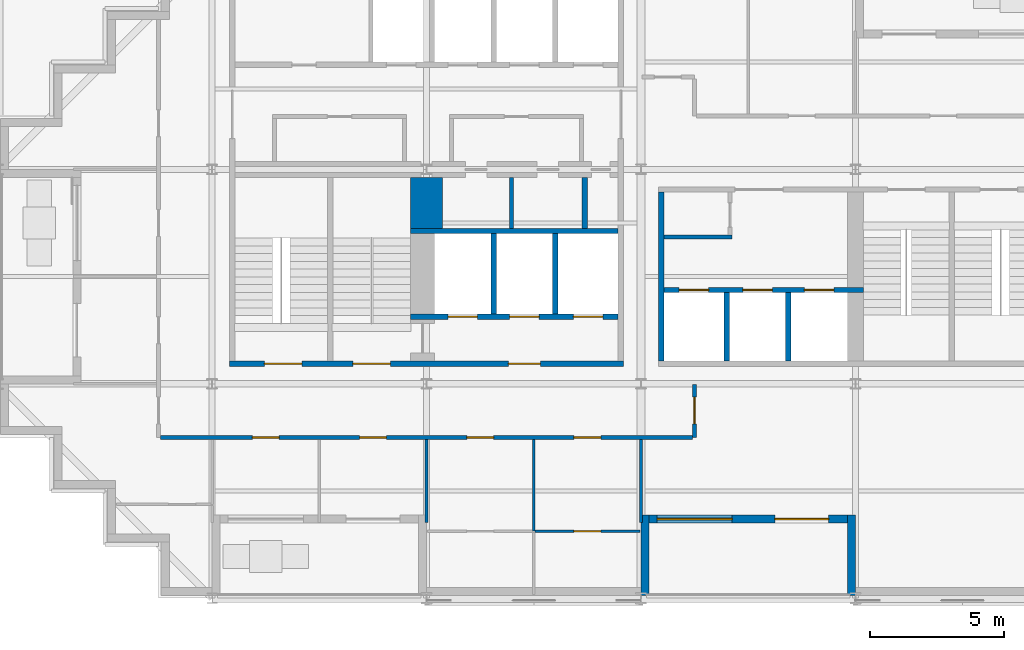
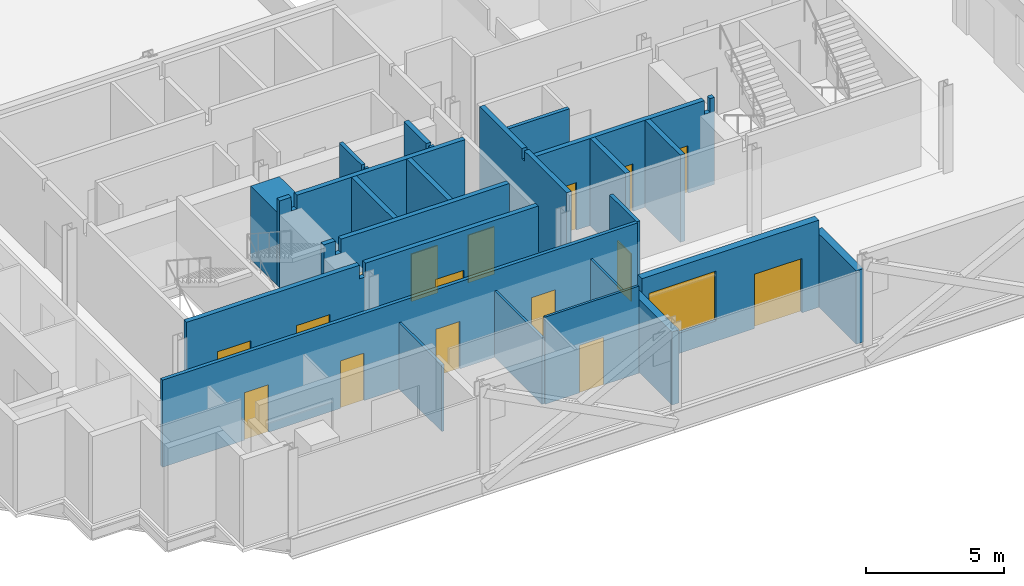
# One storey, part 3 of 9: 22 walls, 16 doors, 1 window, 17 openings.
"""IFC4 building model written with IfcOpenShell, lengths in metres."""

from ifc_helpers import new_model, si_unit, direction, frame, frame_2d, origin, place, context, subcontext, project, spatial, polyline, rectangle, outline, extrude, material, layer, layer_set, type_object, element, fill, save


model = new_model("IFC4")

# Units and contexts
model_context = context("Model", 3, precision=1e-05, world=origin(), true_north=direction((0.0, 1.0)))
body_context = subcontext(model_context, "Body", "Model", "MODEL_VIEW")
ifc_project = project(units=[si_unit("LENGTHUNIT", "METRE"), si_unit("AREAUNIT", "SQUARE_METRE"), si_unit("VOLUMEUNIT", "CUBIC_METRE"), si_unit("PLANEANGLEUNIT", "RADIAN"), si_unit("MASSUNIT", "GRAM", prefix="KILO")], contexts=[model_context])

# Site, building, storey
site_placement = place(None, origin())
site = spatial("IfcSite", under=ifc_project, at=site_placement, CompositionType="ELEMENT")
building_placement = place(site_placement, origin())
building = spatial("IfcBuilding", under=site, at=building_placement, Name="Immortelle Media Tower", CompositionType="ELEMENT")
storey_placement = place(building_placement, frame((0.0, 0.0, 189.0)))
storey = spatial("IfcBuildingStorey", under=building, at=storey_placement, Name="L39", CompositionType="ELEMENT", Elevation=189.0)

# Walls
ifc_material_1 = material(Name="Fire-rated gypsum board", Category="gypsum")
ifc_layer_1 = layer(ifc_material_1, 0.02490234375)
ifc_material_2 = material(Name="Steel ASTM A653 SS Gr 50 stud frame with mineral wool", Category="steel")
ifc_layer_2 = layer(ifc_material_2, 0.10009765625)
ifc_layer_3 = layer(ifc_material_1, 0.02490234375)
ifc_layer_set_1 = layer_set([ifc_layer_1, ifc_layer_2, ifc_layer_3], Name="Steel ASTM A653 SS Gr 50 stud frame with mineral wool")
wall_type_1 = type_object("IfcWallType", Name="Core partition 150", PredefinedType="PARTITIONING", material=ifc_layer_set_1)
wall_1_placement = place(storey_placement, frame((19.175048828125, 13.800048828125, 0.0), z_axis=(0.0, 0.0, 1.0), x_axis=(0.0, 1.0, 0.0)))
element("IfcWall", 1, at=wall_1_placement, inside=storey, type_object=wall_type_1, Name="Core partition SW", PredefinedType="PARTITIONING", context=body_context, shape_type="SweptSolid", body=[
    extrude(outline(polyline([(0.0, 0.0), (1.89990234375, 0.0), (1.89990234375, 3.85009765625), (0.281494140625, 3.85009765625), (0.280517578125, 3.388916015625), (0.119384765625, 3.388916015625), (0.118408203125, 3.85009765625), (0.0, 3.85009765625), (0.0, 0.0)])), frame((0.0, 0.074951171875, 0.0), z_axis=(0.0, -1.0, 0.0), x_axis=(1.0, 0.0, 0.0)), (0.0, 0.0, 1.0), 0.14990234375),
])
wall_2_placement = place(storey_placement, frame((24.85009765625, 13.47509765625, 0.0), z_axis=(0.0, 0.0, 1.0), x_axis=(1.0, 0.0, 0.0)))
element("IfcWall", 2, at=wall_2_placement, inside=storey, type_object=wall_type_1, Name="Core partition SE", PredefinedType="PARTITIONING", context=body_context, shape_type="SweptSolid", body=[
    extrude(rectangle(XDim=2.5498046875, YDim=0.14990234375, at=frame_2d((1.27490234375, 0.0))), origin(), (0.0, 0.0, 1.0), 3.85009765625),
])

# Wall, openings, doors
ifc_layer_4 = layer(ifc_material_1, 0.03759765625)
ifc_layer_5 = layer(ifc_material_2, 0.125)
ifc_layer_6 = layer(ifc_material_1, 0.03759765625)
ifc_layer_set_2 = layer_set([ifc_layer_4, ifc_layer_5, ifc_layer_6], Name="Steel ASTM A653 SS Gr 50 stud frame with mineral wool")
wall_type_2 = type_object("IfcWallType", Name="Core shaft wall 200", PredefinedType="PARTITIONING", material=ifc_layer_set_2)
wall_3_placement = place(storey_placement, frame((15.39990234375, 10.5, 0.0), z_axis=(0.0, 0.0, 1.0), x_axis=(1.0, 0.0, 0.0)))
wall_3 = element("IfcWall", 3, at=wall_3_placement, inside=storey, type_object=wall_type_2, Name="Core shaft wall SW", PredefinedType="PARTITIONING", context=body_context, shape_type="SweptSolid", body=[
    extrude(outline(polyline([(0.0, 0.0), (7.75, 0.0), (7.75, 3.85009765625), (0.718994140625, 3.85009765625), (0.718017578125, 3.241943359375), (0.48193359375, 3.241943359375), (0.48095703125, 3.85009765625), (0.0, 3.85009765625), (0.0, 0.0)])), frame((0.0, 0.10009765625, 0.0), z_axis=(0.0, -1.0, 0.0), x_axis=(1.0, 0.0, 0.0)), (0.0, 0.0, 1.0), 0.199951171875),
])
opening_1_placement = place(wall_3_placement, frame((1.39990234375, 0.0, 0.0)))
opening_1 = element("IfcOpeningElement", 4, at=opening_1_placement, cuts=wall_3, Name="Opening LD", PredefinedType="OPENING", context=body_context, shape_type="SweptSolid", body=[
    extrude(rectangle(XDim=1.10009765625, YDim=2.10009765625, at=frame_2d((0.550048828125, 1.050048828125))), frame((0.0, 0.10986328125, 0.0), z_axis=(0.0, -1.0, 0.0), x_axis=(1.0, 0.0, 0.0)), (0.0, 0.0, 1.0), 0.219970703125),
])
opening_2_placement = place(wall_3_placement, frame((3.699951171875, 0.0, 0.0)))
opening_2 = element("IfcOpeningElement", 5, at=opening_2_placement, cuts=wall_3, Name="Opening LD", PredefinedType="OPENING", context=body_context, shape_type="SweptSolid", body=[
    extrude(rectangle(XDim=1.10009765625, YDim=2.10009765625, at=frame_2d((0.550048828125, 1.050048828125))), frame((0.0, 0.10986328125, 0.0), z_axis=(0.0, -1.0, 0.0), x_axis=(1.0, 0.0, 0.0)), (0.0, 0.0, 1.0), 0.219970703125),
])
opening_3_placement = place(wall_3_placement, frame((6.074951171875, 0.0, 0.0)))
opening_3 = element("IfcOpeningElement", 6, at=opening_3_placement, cuts=wall_3, Name="Opening LD", PredefinedType="OPENING", context=body_context, shape_type="SweptSolid", body=[
    extrude(rectangle(XDim=1.10009765625, YDim=2.10009765625, at=frame_2d((0.550048828125, 1.050048828125))), frame((0.0, 0.10986328125, 0.0), z_axis=(0.0, -1.0, 0.0), x_axis=(1.0, 0.0, 0.0)), (0.0, 0.0, 1.0), 0.219970703125),
])
ifc_material_3 = material(Name="Stainless steel AISI 304", Category="steel")
door_type_1 = type_object("IfcDoorType", Name="Landing door 1100 x 2100", OperationType="SLIDING_TO_LEFT", PredefinedType="NOTDEFINED", material=ifc_material_3)
door_1_placement = place(opening_1_placement, origin())
door_1 = element("IfcDoor", 7, at=door_1_placement, inside=storey, type_object=door_type_1, Name="Landing door FF1 L39", OperationType="SLIDING_TO_LEFT", OverallHeight=2.10009765625, OverallWidth=1.10009765625, PredefinedType="NOTDEFINED", context=body_context, shape_type="SweptSolid", body=[
    extrude(rectangle(XDim=1.10009765625, YDim=2.10009765625, at=frame_2d((0.550048828125, 1.050048828125))), frame((0.0, 0.02490234375, 0.0), z_axis=(0.0, -1.0, 0.0), x_axis=(1.0, 0.0, 0.0)), (0.0, 0.0, 1.0), 0.050048828125),
])
fill(opening_1, door_1)
door_2_placement = place(opening_2_placement, origin())
door_2 = element("IfcDoor", 8, at=door_2_placement, inside=storey, type_object=door_type_1, Name="Landing door FF2 L39", OperationType="SLIDING_TO_LEFT", OverallHeight=2.10009765625, OverallWidth=1.10009765625, PredefinedType="NOTDEFINED", context=body_context, shape_type="SweptSolid", body=[
    extrude(rectangle(XDim=1.10009765625, YDim=2.10009765625, at=frame_2d((0.550048828125, 1.050048828125))), frame((0.0, 0.02490234375, 0.0), z_axis=(0.0, -1.0, 0.0), x_axis=(1.0, 0.0, 0.0)), (0.0, 0.0, 1.0), 0.050048828125),
])
fill(opening_2, door_2)
door_3_placement = place(opening_3_placement, origin())
door_3 = element("IfcDoor", 9, at=door_3_placement, inside=storey, type_object=door_type_1, Name="Landing door FF3 L39", OperationType="SLIDING_TO_LEFT", OverallHeight=2.10009765625, OverallWidth=1.10009765625, PredefinedType="NOTDEFINED", context=body_context, shape_type="SweptSolid", body=[
    extrude(rectangle(XDim=1.10009765625, YDim=2.10009765625, at=frame_2d((0.550048828125, 1.050048828125))), frame((0.0, 0.02490234375, 0.0), z_axis=(0.0, -1.0, 0.0), x_axis=(1.0, 0.0, 0.0)), (0.0, 0.0, 1.0), 0.050048828125),
])
fill(opening_3, door_3)

# Walls
wall_4_placement = place(storey_placement, frame((15.39990234375, 13.699951171875, 0.0), z_axis=(0.0, 0.0, 1.0), x_axis=(1.0, 0.0, 0.0)))
element("IfcWall", 10, at=wall_4_placement, inside=storey, type_object=wall_type_2, Name="Core shaft wall SW", PredefinedType="PARTITIONING", context=body_context, shape_type="SweptSolid", body=[
    extrude(outline(polyline([(0.0, 0.0), (7.75, 0.0), (7.75, 3.85009765625), (0.718994140625, 3.85009765625), (0.718017578125, 3.241943359375), (0.48193359375, 3.241943359375), (0.48095703125, 3.85009765625), (0.0, 3.85009765625), (0.0, 0.0)])), frame((0.0, 0.10009765625, 0.0), z_axis=(0.0, -1.0, 0.0), x_axis=(1.0, 0.0, 0.0)), (0.0, 0.0, 1.0), 0.199951171875),
])
for number, where, z_axis, x_axis, name in (
    (11, (18.5, 10.60009765625, 0.0), (0.0, 0.0, 1.0), (0.0, 1.0, 0.0), "Core shaft wall SW"),
    (12, (20.800048828125, 10.60009765625, 0.0), (0.0, 0.0, 1.0), (0.0, 1.0, 0.0), "Core shaft wall SW"),
):
    element("IfcWall", number, at=place(storey_placement, frame(where, z_axis=z_axis, x_axis=x_axis)), inside=storey, type_object=wall_type_2, Name=name, PredefinedType="PARTITIONING", context=body_context, shape_type="SweptSolid", body=[
        extrude(rectangle(XDim=3.0, YDim=0.199951171875, at=frame_2d((1.5, 0.0))), origin(), (0.0, 0.0, 1.0), 3.85009765625),
    ])
wall_5_placement = place(storey_placement, frame((21.89990234375, 13.800048828125, 0.0), z_axis=(0.0, 0.0, 1.0), x_axis=(0.0, 1.0, 0.0)))
element("IfcWall", 13, at=wall_5_placement, inside=storey, type_object=wall_type_2, Name="Core shaft wall SW", PredefinedType="PARTITIONING", context=body_context, shape_type="SweptSolid", body=[
    extrude(outline(polyline([(0.0, 0.0), (1.89990234375, 0.0), (1.89990234375, 3.85009765625), (0.281494140625, 3.85009765625), (0.280517578125, 3.388916015625), (0.119384765625, 3.388916015625), (0.118408203125, 3.85009765625), (0.0, 3.85009765625), (0.0, 0.0)])), frame((0.0, 0.10009765625, 0.0), z_axis=(0.0, -1.0, 0.0), x_axis=(1.0, 0.0, 0.0)), (0.0, 0.0, 1.0), 0.199951171875),
])
wall_6_placement = place(storey_placement, frame((24.75, 8.85009765625, 0.0), z_axis=(0.0, 0.0, 1.0), x_axis=(0.0, 1.0, 0.0)))
element("IfcWall", 14, at=wall_6_placement, inside=storey, type_object=wall_type_2, Name="Core shaft wall SE", PredefinedType="PARTITIONING", context=body_context, shape_type="SweptSolid", body=[
    extrude(outline(polyline([(0.0, 0.0), (6.2998046875, 0.0), (6.300048828125, 3.85009765625), (3.2314453125, 3.85009765625), (3.23046875, 3.388916015625), (3.069580078125, 3.388916015625), (3.068603515625, 3.85009765625), (0.0, 3.85009765625), (0.0, 0.0)])), frame((0.0, 0.10009765625, 0.0), z_axis=(0.0, -1.0, 0.0), x_axis=(1.0, 0.0, 0.0)), (0.0, 0.0, 1.0), 0.199951171875),
])

# Wall, openings, doors
wall_7_placement = place(storey_placement, frame((24.85009765625, 11.5, 0.0), z_axis=(0.0, 0.0, 1.0), x_axis=(1.0, 0.0, 0.0)))
wall_7 = element("IfcWall", 15, at=wall_7_placement, inside=storey, type_object=wall_type_2, Name="Core shaft wall SE", PredefinedType="PARTITIONING", context=body_context, shape_type="SweptSolid", body=[
    extrude(outline(polyline([(0.0, 0.0), (7.449951171875, 0.0), (7.449951171875, 3.85009765625), (7.26904296875, 3.85009765625), (7.26806640625, 3.241943359375), (7.031982421875, 3.241943359375), (7.031005859375, 3.85009765625), (0.0, 3.85009765625), (0.0, 0.0)])), frame((0.0, 0.10009765625, 0.0), z_axis=(0.0, -1.0, 0.0), x_axis=(1.0, 0.0, 0.0)), (0.0, 0.0, 1.0), 0.199951171875),
])
opening_4_placement = place(wall_7_placement, frame((0.574951171875, 0.0, 0.0)))
opening_4 = element("IfcOpeningElement", 16, at=opening_4_placement, cuts=wall_7, Name="Opening LD", PredefinedType="OPENING", context=body_context, shape_type="SweptSolid", body=[
    extrude(rectangle(XDim=1.10009765625, YDim=2.10009765625, at=frame_2d((0.550048828125, 1.050048828125))), frame((0.0, 0.10986328125, 0.0), z_axis=(0.0, -1.0, 0.0), x_axis=(1.0, 0.0, 0.0)), (0.0, 0.0, 1.0), 0.219970703125),
])
opening_5_placement = place(wall_7_placement, frame((2.949951171875, 0.0, 0.0)))
opening_5 = element("IfcOpeningElement", 17, at=opening_5_placement, cuts=wall_7, Name="Opening LD", PredefinedType="OPENING", context=body_context, shape_type="SweptSolid", body=[
    extrude(rectangle(XDim=1.10009765625, YDim=2.10009765625, at=frame_2d((0.550048828125, 1.050048828125))), frame((0.0, 0.10986328125, 0.0), z_axis=(0.0, -1.0, 0.0), x_axis=(1.0, 0.0, 0.0)), (0.0, 0.0, 1.0), 0.219970703125),
])
opening_6_placement = place(wall_7_placement, frame((5.25, 0.0, 0.0)))
opening_6 = element("IfcOpeningElement", 18, at=opening_6_placement, cuts=wall_7, Name="Opening LD", PredefinedType="OPENING", context=body_context, shape_type="SweptSolid", body=[
    extrude(rectangle(XDim=1.10009765625, YDim=2.10009765625, at=frame_2d((0.550048828125, 1.050048828125))), frame((0.0, 0.10986328125, 0.0), z_axis=(0.0, -1.0, 0.0), x_axis=(1.0, 0.0, 0.0)), (0.0, 0.0, 1.0), 0.219970703125),
])
door_4_placement = place(opening_4_placement, origin())
door_4 = element("IfcDoor", 19, at=door_4_placement, inside=storey, type_object=door_type_1, Name="Landing door HS1 L39", OperationType="SLIDING_TO_LEFT", OverallHeight=2.10009765625, OverallWidth=1.10009765625, PredefinedType="NOTDEFINED", context=body_context, shape_type="SweptSolid", body=[
    extrude(rectangle(XDim=1.10009765625, YDim=2.10009765625, at=frame_2d((0.550048828125, 1.050048828125))), frame((0.0, 0.02490234375, 0.0), z_axis=(0.0, -1.0, 0.0), x_axis=(1.0, 0.0, 0.0)), (0.0, 0.0, 1.0), 0.050048828125),
])
fill(opening_4, door_4)
door_5_placement = place(opening_5_placement, origin())
door_5 = element("IfcDoor", 20, at=door_5_placement, inside=storey, type_object=door_type_1, Name="Landing door HS2 L39", OperationType="SLIDING_TO_LEFT", OverallHeight=2.10009765625, OverallWidth=1.10009765625, PredefinedType="NOTDEFINED", context=body_context, shape_type="SweptSolid", body=[
    extrude(rectangle(XDim=1.10009765625, YDim=2.10009765625, at=frame_2d((0.550048828125, 1.050048828125))), frame((0.0, 0.02490234375, 0.0), z_axis=(0.0, -1.0, 0.0), x_axis=(1.0, 0.0, 0.0)), (0.0, 0.0, 1.0), 0.050048828125),
])
fill(opening_5, door_5)
door_6_placement = place(opening_6_placement, origin())
door_6 = element("IfcDoor", 21, at=door_6_placement, inside=storey, type_object=door_type_1, Name="Landing door HS3 L39", OperationType="SLIDING_TO_LEFT", OverallHeight=2.10009765625, OverallWidth=1.10009765625, PredefinedType="NOTDEFINED", context=body_context, shape_type="SweptSolid", body=[
    extrude(rectangle(XDim=1.10009765625, YDim=2.10009765625, at=frame_2d((0.550048828125, 1.050048828125))), frame((0.0, 0.02490234375, 0.0), z_axis=(0.0, -1.0, 0.0), x_axis=(1.0, 0.0, 0.0)), (0.0, 0.0, 1.0), 0.050048828125),
])
fill(opening_6, door_6)

# Walls
for number, where, z_axis, x_axis, name in (
    (22, (27.199951171875, 8.85009765625, 0.0), (0.0, 0.0, 1.0), (0.0, 1.0, 0.0), "Core shaft wall SE"),
    (23, (29.5, 8.85009765625, 0.0), (0.0, 0.0, 1.0), (0.0, 1.0, 0.0), "Core shaft wall SE"),
):
    element("IfcWall", number, at=place(storey_placement, frame(where, z_axis=z_axis, x_axis=x_axis)), inside=storey, type_object=wall_type_2, Name=name, PredefinedType="PARTITIONING", context=body_context, shape_type="SweptSolid", body=[
        extrude(rectangle(XDim=2.5498046875, YDim=0.199951171875, at=frame_2d((1.27490234375, 0.0))), origin(), (0.0, 0.0, 1.0), 3.85009765625),
    ])

# Wall, openings, doors
ifc_layer_7 = layer(ifc_material_1, 0.012451171875)
ifc_layer_8 = layer(ifc_material_2, 0.125)
ifc_layer_9 = layer(ifc_material_1, 0.012451171875)
ifc_layer_set_3 = layer_set([ifc_layer_7, ifc_layer_8, ifc_layer_9], Name="Steel ASTM A653 SS Gr 50 stud frame with mineral wool")
wall_type_3 = type_object("IfcWallType", Name="Corridor wall 150", PredefinedType="PARTITIONING", material=ifc_layer_set_3)
wall_8_placement = place(storey_placement, frame((6.074951171875, 6.0, 0.0), z_axis=(0.0, 0.0, 1.0), x_axis=(1.0, 0.0, 0.0)))
wall_8 = element("IfcWall", 24, at=wall_8_placement, inside=storey, type_object=wall_type_3, Name="Partition L39-011", PredefinedType="PARTITIONING", context=body_context, shape_type="SweptSolid", body=[
    extrude(rectangle(XDim=19.85009765625, YDim=0.14990234375, at=frame_2d((9.925048828125, 0.0))), origin(), (0.0, 0.0, 1.0), 3.85009765625),
])
opening_7_placement = place(wall_8_placement, frame((12.425048828125, 0.0, 0.0), z_axis=(0.0, 0.0, 1.0), x_axis=(-1.0, 0.0, 0.0)))
opening_7 = element("IfcOpeningElement", 25, at=opening_7_placement, cuts=wall_8, Name="Opening O1-F001", PredefinedType="OPENING", context=body_context, shape_type="SweptSolid", body=[
    extrude(rectangle(XDim=1.0, YDim=2.10009765625, at=frame_2d((0.5, 1.050048828125))), frame((0.0, 0.0849609375, 0.0), z_axis=(0.0, -1.0, 0.0), x_axis=(1.0, 0.0, 0.0)), (0.0, 0.0, 1.0), 0.169921875),
])
opening_8_placement = place(wall_8_placement, frame((16.425048828125, 0.0, 0.0), z_axis=(0.0, 0.0, 1.0), x_axis=(-1.0, 0.0, 0.0)))
opening_8 = element("IfcOpeningElement", 26, at=opening_8_placement, cuts=wall_8, Name="Opening O1-F003", PredefinedType="OPENING", context=body_context, shape_type="SweptSolid", body=[
    extrude(rectangle(XDim=1.0, YDim=2.10009765625, at=frame_2d((0.5, 1.050048828125))), frame((0.0, 0.0849609375, 0.0), z_axis=(0.0, -1.0, 0.0), x_axis=(1.0, 0.0, 0.0)), (0.0, 0.0, 1.0), 0.169921875),
])
opening_9_placement = place(wall_8_placement, frame((4.425048828125, 0.0, 0.0), z_axis=(0.0, 0.0, 1.0), x_axis=(-1.0, 0.0, 0.0)))
opening_9 = element("IfcOpeningElement", 27, at=opening_9_placement, cuts=wall_8, Name="Opening O1-F005", PredefinedType="OPENING", context=body_context, shape_type="SweptSolid", body=[
    extrude(rectangle(XDim=1.0, YDim=2.10009765625, at=frame_2d((0.5, 1.050048828125))), frame((0.0, 0.0849609375, 0.0), z_axis=(0.0, -1.0, 0.0), x_axis=(1.0, 0.0, 0.0)), (0.0, 0.0, 1.0), 0.169921875),
])
opening_10_placement = place(wall_8_placement, frame((8.425048828125, 0.0, 0.0), z_axis=(0.0, 0.0, 1.0), x_axis=(-1.0, 0.0, 0.0)))
opening_10 = element("IfcOpeningElement", 28, at=opening_10_placement, cuts=wall_8, Name="Opening O1-F006", PredefinedType="OPENING", context=body_context, shape_type="SweptSolid", body=[
    extrude(rectangle(XDim=1.0, YDim=2.10009765625, at=frame_2d((0.5, 1.050048828125))), frame((0.0, 0.0849609375, 0.0), z_axis=(0.0, -1.0, 0.0), x_axis=(1.0, 0.0, 0.0)), (0.0, 0.0, 1.0), 0.169921875),
])
ifc_material_4 = material(Name="Timber veneered door leaf, galvanised steel frame ASTM A653", Category="steel")
door_type_2 = type_object("IfcDoorType", Name="Room door 1000 x 2100", OperationType="NOTDEFINED", PredefinedType="DOOR", material=ifc_material_4)
door_7_placement = place(opening_7_placement, origin())
door_7 = element("IfcDoor", 29, at=door_7_placement, inside=storey, type_object=door_type_2, Name="Door O1-F001", OperationType="SINGLE_SWING_LEFT", OverallHeight=2.10009765625, OverallWidth=1.0, PredefinedType="DOOR", context=body_context, shape_type="SweptSolid", body=[
    extrude(rectangle(XDim=1.0, YDim=2.10009765625, at=frame_2d((0.5, 1.050048828125))), frame((0.0, 0.02490234375, 0.0), z_axis=(0.0, -1.0, 0.0), x_axis=(1.0, 0.0, 0.0)), (0.0, 0.0, 1.0), 0.050048828125),
])
fill(opening_7, door_7)
door_8_placement = place(opening_8_placement, origin())
door_8 = element("IfcDoor", 30, at=door_8_placement, inside=storey, type_object=door_type_2, Name="Door O1-F003", OperationType="SINGLE_SWING_LEFT", OverallHeight=2.10009765625, OverallWidth=1.0, PredefinedType="DOOR", context=body_context, shape_type="SweptSolid", body=[
    extrude(rectangle(XDim=1.0, YDim=2.10009765625, at=frame_2d((0.5, 1.050048828125))), frame((0.0, 0.02490234375, 0.0), z_axis=(0.0, -1.0, 0.0), x_axis=(1.0, 0.0, 0.0)), (0.0, 0.0, 1.0), 0.050048828125),
])
fill(opening_8, door_8)
door_9_placement = place(opening_9_placement, origin())
door_9 = element("IfcDoor", 31, at=door_9_placement, inside=storey, type_object=door_type_2, Name="Door O1-F005", OperationType="SINGLE_SWING_RIGHT", OverallHeight=2.10009765625, OverallWidth=1.0, PredefinedType="DOOR", context=body_context, shape_type="SweptSolid", body=[
    extrude(rectangle(XDim=1.0, YDim=2.10009765625, at=frame_2d((0.5, 1.050048828125))), frame((0.0, 0.02490234375, 0.0), z_axis=(0.0, -1.0, 0.0), x_axis=(1.0, 0.0, 0.0)), (0.0, 0.0, 1.0), 0.050048828125),
])
fill(opening_9, door_9)
door_10_placement = place(opening_10_placement, origin())
door_10 = element("IfcDoor", 32, at=door_10_placement, inside=storey, type_object=door_type_2, Name="Door O1-F006", OperationType="SINGLE_SWING_LEFT", OverallHeight=2.10009765625, OverallWidth=1.0, PredefinedType="DOOR", context=body_context, shape_type="SweptSolid", body=[
    extrude(rectangle(XDim=1.0, YDim=2.10009765625, at=frame_2d((0.5, 1.050048828125))), frame((0.0, 0.02490234375, 0.0), z_axis=(0.0, -1.0, 0.0), x_axis=(1.0, 0.0, 0.0)), (0.0, 0.0, 1.0), 0.050048828125),
])
fill(opening_10, door_10)

# Wall, opening, door
wall_9_placement = place(storey_placement, frame((26.0, 6.0, 0.0), z_axis=(0.0, 0.0, 1.0), x_axis=(0.0, 1.0, 0.0)))
wall_9 = element("IfcWall", 33, at=wall_9_placement, inside=storey, type_object=wall_type_3, Name="Partition L39-013", PredefinedType="PARTITIONING", context=body_context, shape_type="SweptSolid", body=[
    extrude(rectangle(XDim=1.969970703125, YDim=0.14990234375, at=frame_2d((0.98486328125, 0.0))), origin(), (0.0, 0.0, 1.0), 3.85009765625),
])
opening_11_placement = place(wall_9_placement, frame((1.5, 0.0, 0.0), z_axis=(0.0, 0.0, 1.0), x_axis=(-1.0, 0.0, 0.0)))
opening_11 = element("IfcOpeningElement", 34, at=opening_11_placement, cuts=wall_9, Name="Opening O1-F009", PredefinedType="OPENING", context=body_context, shape_type="SweptSolid", body=[
    extrude(rectangle(XDim=1.0, YDim=2.10009765625, at=frame_2d((0.5, 1.050048828125))), frame((0.0, 0.0849609375, 0.0), z_axis=(0.0, -1.0, 0.0), x_axis=(1.0, 0.0, 0.0)), (0.0, 0.0, 1.0), 0.169921875),
])
door_11_placement = place(opening_11_placement, origin())
door_11 = element("IfcDoor", 35, at=door_11_placement, inside=storey, type_object=door_type_2, Name="Door O1-F009", OperationType="SINGLE_SWING_LEFT", OverallHeight=2.10009765625, OverallWidth=1.0, PredefinedType="DOOR", context=body_context, shape_type="SweptSolid", body=[
    extrude(rectangle(XDim=1.0, YDim=2.10009765625, at=frame_2d((0.5, 1.050048828125))), frame((0.0, 0.02490234375, 0.0), z_axis=(0.0, -1.0, 0.0), x_axis=(1.0, 0.0, 0.0)), (0.0, 0.0, 1.0), 0.050048828125),
])
fill(opening_11, door_11)

# Wall, openings, door, window
ifc_material_5 = material(Name="Pale aluminium cladding panel", Category="aluminium")
ifc_layer_10 = layer(ifc_material_5, 0.030029296875)
ifc_layer_11 = layer(ifc_material_2, 0.257568359375)
ifc_material_6 = material(Name="Moisture-resistant gypsum board", Category="gypsum")
ifc_layer_12 = layer(ifc_material_6, 0.012451171875)
ifc_layer_set_4 = layer_set([ifc_layer_10, ifc_layer_11, ifc_layer_12], Name="Steel ASTM A653 SS Gr 50 stud frame with mineral wool")
wall_type_4 = type_object("IfcWallType", Name="Facade wall 300", PredefinedType="SOLIDWALL", material=ifc_layer_set_4)
wall_10_placement = place(storey_placement, frame((24.300048828125, 2.949951171875, 0.0), z_axis=(0.0, 0.0, 1.0), x_axis=(1.0, 0.0, 0.0)))
wall_10 = element("IfcWall", 36, at=wall_10_placement, inside=storey, type_object=wall_type_4, Name="Loggia wall L39 S6", PredefinedType="SOLIDWALL", context=body_context, shape_type="SweptSolid", body=[
    extrude(rectangle(XDim=7.39990234375, YDim=0.300048828125, at=frame_2d((3.699951171875, 0.0))), origin(), (0.0, 0.0, 1.0), 3.85009765625),
])
opening_12_placement = place(wall_10_placement, frame((0.300048828125, 0.0, 0.89990234375)))
opening_12 = element("IfcOpeningElement", 37, at=opening_12_placement, cuts=wall_10, Name="Opening W1", PredefinedType="OPENING", context=body_context, shape_type="SweptSolid", body=[
    extrude(rectangle(XDim=2.800048828125, YDim=2.199951171875, at=frame_2d((1.39990234375, 1.10009765625))), frame((0.0, 0.159912109375, 0.0), z_axis=(0.0, -1.0, 0.0), x_axis=(1.0, 0.0, 0.0)), (0.0, 0.0, 1.0), 0.320068359375),
])
opening_13_placement = place(wall_10_placement, frame((4.699951171875, 0.0, 0.0)))
opening_13 = element("IfcOpeningElement", 38, at=opening_13_placement, cuts=wall_10, Name="Opening O1-E002", PredefinedType="OPENING", context=body_context, shape_type="SweptSolid", body=[
    extrude(rectangle(XDim=2.0, YDim=2.39990234375, at=frame_2d((1.0, 1.199951171875))), frame((0.0, 0.159912109375, 0.0), z_axis=(0.0, -1.0, 0.0), x_axis=(1.0, 0.0, 0.0)), (0.0, 0.0, 1.0), 0.320068359375),
])
ifc_material_7 = material(Name="Aluminium frame, glazed leaves", Category="aluminium")
door_type_3 = type_object("IfcDoorType", Name="Loggia door 2000 x 2400", OperationType="DOUBLE_DOOR_SINGLE_SWING", PredefinedType="DOOR", material=ifc_material_7)
door_12_placement = place(opening_13_placement, origin())
door_12 = element("IfcDoor", 39, at=door_12_placement, inside=storey, type_object=door_type_3, Name="Door O1-E002", OperationType="DOUBLE_DOOR_SINGLE_SWING", OverallHeight=2.39990234375, OverallWidth=2.0, PredefinedType="DOOR", context=body_context, shape_type="SweptSolid", body=[
    extrude(rectangle(XDim=2.0, YDim=2.39990234375, at=frame_2d((1.0, 1.199951171875))), frame((0.0, 0.02490234375, 0.0), z_axis=(0.0, -1.0, 0.0), x_axis=(1.0, 0.0, 0.0)), (0.0, 0.0, 1.0), 0.050048828125),
])
fill(opening_13, door_12)
ifc_material_8 = material(Name="Aluminium frame", Category="aluminium")
window_type = type_object("IfcWindowType", Name="Window 2800 x 2200", PartitioningType="SINGLE_PANEL", PredefinedType="WINDOW", material=ifc_material_8)
window_placement = place(opening_12_placement, origin())
window = element("IfcWindow", 40, at=window_placement, inside=storey, type_object=window_type, Name="Window L39 L39-R6-B2", OverallHeight=2.199951171875, OverallWidth=2.800048828125, PartitioningType="SINGLE_PANEL", PredefinedType="WINDOW", context=body_context, shape_type="SweptSolid", body=[
    extrude(rectangle(XDim=2.800048828125, YDim=2.199951171875, at=frame_2d((1.39990234375, 1.10009765625))), frame((0.0, 0.030029296875, 0.0), z_axis=(0.0, -1.0, 0.0), x_axis=(1.0, 0.0, 0.0)), (0.0, 0.0, 1.0), 0.06005859375),
])
fill(opening_12, window)

# Walls
for number, where, z_axis, x_axis, name in (
    (41, (24.14990234375, 0.10009765625, 0.0), (0.0, 0.0, 1.0), (0.0, 1.0, 0.0), "Loggia cheek wall L39 S"),
    (42, (31.85009765625, 0.10009765625, 0.0), (0.0, 0.0, 1.0), (0.0, 1.0, 0.0), "Loggia cheek wall L39 S"),
):
    element("IfcWall", number, at=place(storey_placement, frame(where, z_axis=z_axis, x_axis=x_axis)), inside=storey, type_object=wall_type_4, Name=name, PredefinedType="SOLIDWALL", context=body_context, shape_type="SweptSolid", body=[
        extrude(rectangle(XDim=3.0, YDim=0.300048828125, at=frame_2d((1.5, 0.0))), origin(), (0.0, 0.0, 1.0), 3.237060546875),
    ])

# Wall, opening, door
ifc_material_9 = material(Name="Gypsum board", Category="gypsum")
ifc_layer_13 = layer(ifc_material_9, 0.012451171875)
ifc_layer_14 = layer(ifc_material_2, 0.074951171875)
ifc_layer_15 = layer(ifc_material_9, 0.012451171875)
ifc_layer_set_5 = layer_set([ifc_layer_13, ifc_layer_14, ifc_layer_15], Name="Steel ASTM A653 SS Gr 50 stud frame with mineral wool")
wall_type_5 = type_object("IfcWallType", Name="Partition 100", PredefinedType="PARTITIONING", material=ifc_layer_set_5)
wall_11_placement = place(storey_placement, frame((20.050048828125, 2.5, 0.0), z_axis=(0.0, 0.0, 1.0), x_axis=(1.0, 0.0, 0.0)))
wall_11 = element("IfcWall", 43, at=wall_11_placement, inside=storey, type_object=wall_type_5, Name="Partition L39-003", PredefinedType="PARTITIONING", context=body_context, shape_type="SweptSolid", body=[
    extrude(rectangle(XDim=3.919921875, YDim=0.10009765625, at=frame_2d((1.9599609375, 0.0))), origin(), (0.0, 0.0, 1.0), 3.85009765625),
])
opening_14_placement = place(wall_11_placement, frame((2.449951171875, 0.0, 0.0), z_axis=(0.0, 0.0, 1.0), x_axis=(-1.0, 0.0, 0.0)))
opening_14 = element("IfcOpeningElement", 44, at=opening_14_placement, cuts=wall_11, Name="Opening O1-F004", PredefinedType="OPENING", context=body_context, shape_type="SweptSolid", body=[
    extrude(rectangle(XDim=1.0, YDim=2.10009765625, at=frame_2d((0.5, 1.050048828125))), frame((0.0, 0.06005859375, 0.0), z_axis=(0.0, -1.0, 0.0), x_axis=(1.0, 0.0, 0.0)), (0.0, 0.0, 1.0), 0.1201171875),
])
door_13_placement = place(opening_14_placement, origin())
door_13 = element("IfcDoor", 45, at=door_13_placement, inside=storey, type_object=door_type_2, Name="Door O1-F004", OperationType="SINGLE_SWING_LEFT", OverallHeight=2.10009765625, OverallWidth=1.0, PredefinedType="DOOR", context=body_context, shape_type="SweptSolid", body=[
    extrude(rectangle(XDim=1.0, YDim=2.10009765625, at=frame_2d((0.5, 1.050048828125))), frame((0.0, 0.02490234375, 0.0), z_axis=(0.0, -1.0, 0.0), x_axis=(1.0, 0.0, 0.0)), (0.0, 0.0, 1.0), 0.050048828125),
])
fill(opening_14, door_13)

# Walls
wall_12_placement = place(storey_placement, frame((20.0, 2.5, 0.0), z_axis=(0.0, 0.0, 1.0), x_axis=(0.0, 1.0, 0.0)))
element("IfcWall", 46, at=wall_12_placement, inside=storey, type_object=wall_type_5, Name="Partition L39-004", PredefinedType="PARTITIONING", context=body_context, shape_type="SweptSolid", body=[
    extrude(rectangle(XDim=3.425048828125, YDim=0.10009765625, at=frame_2d((1.71240234375, 0.0))), origin(), (0.0, 0.0, 1.0), 2.93603515625),
])
for number, where, z_axis, x_axis, name in (
    (47, (16.0, 2.830078125, 0.0), (0.0, 0.0, 1.0), (0.0, 1.0, 0.0), "Partition L39-007"),
    (48, (24.0, 2.830078125, 0.0), (0.0, 0.0, 1.0), (0.0, 1.0, 0.0), "Partition L39-008"),
):
    element("IfcWall", number, at=place(storey_placement, frame(where, z_axis=z_axis, x_axis=x_axis)), inside=storey, type_object=wall_type_5, Name=name, PredefinedType="PARTITIONING", context=body_context, shape_type="SweptSolid", body=[
        extrude(rectangle(XDim=3.094970703125, YDim=0.10009765625, at=frame_2d((1.54736328125, 0.0))), origin(), (0.0, 0.0, 1.0), 2.93603515625),
    ])
ifc_material_10 = material(Name="Concrete C60", Category="concrete")
ifc_layer_16 = layer(ifc_material_10, 1.199951171875)
ifc_layer_set_6 = layer_set([ifc_layer_16], Name="Concrete C60")
wall_type_6 = type_object("IfcWallType", Name="Stair shaft wall 1200", PredefinedType="PARTITIONING", material=ifc_layer_set_6)
wall_13_placement = place(storey_placement, frame((16.0, 13.800048828125, 0.0), z_axis=(0.0, 0.0, 1.0), x_axis=(0.0, 1.0, 0.0)))
element("IfcWall", 49, at=wall_13_placement, inside=storey, type_object=wall_type_6, Name="Stair shaft wall SW", PredefinedType="PARTITIONING", context=body_context, shape_type="SweptSolid", body=[
    extrude(rectangle(XDim=1.89990234375, YDim=1.199951171875, at=frame_2d((0.949951171875, 0.0))), origin(), (0.0, 0.0, 1.0), 3.241943359375),
])

# Wall, openings, doors
ifc_layer_17 = layer(ifc_material_10, 0.199951171875)
ifc_layer_set_7 = layer_set([ifc_layer_17], Name="Concrete C60")
wall_type_7 = type_object("IfcWallType", Name="Stair shaft wall 200", PredefinedType="PARTITIONING", material=ifc_layer_set_7)
wall_14_placement = place(storey_placement, frame((8.64990234375, 8.75, 0.0), z_axis=(0.0, 0.0, 1.0), x_axis=(1.0, 0.0, 0.0)))
wall_14 = element("IfcWall", 50, at=wall_14_placement, inside=storey, type_object=wall_type_7, Name="Stair shaft wall SW", PredefinedType="PARTITIONING", context=body_context, shape_type="SweptSolid", body=[
    extrude(outline(polyline([(0.0, 0.0), (14.7001953125, 0.0), (14.699951171875, 3.85009765625), (7.468994140625, 3.85009765625), (7.468017578125, 3.241943359375), (7.23193359375, 3.241943359375), (7.23095703125, 3.85009765625), (0.0, 3.85009765625), (0.0, 0.0)])), frame((0.0, 0.10009765625, 0.0), z_axis=(0.0, -1.0, 0.0), x_axis=(1.0, 0.0, 0.0)), (0.0, 0.0, 1.0), 0.199951171875),
])
opening_15_placement = place(wall_14_placement, frame((1.300048828125, 0.0, 0.0)))
opening_15 = element("IfcOpeningElement", 51, at=opening_15_placement, cuts=wall_14, Name="Opening O1-K002", PredefinedType="OPENING", context=body_context, shape_type="SweptSolid", body=[
    extrude(rectangle(XDim=1.39990234375, YDim=2.10009765625, at=frame_2d((0.699951171875, 1.050048828125))), frame((0.0, 0.10986328125, 0.0), z_axis=(0.0, -1.0, 0.0), x_axis=(1.0, 0.0, 0.0)), (0.0, 0.0, 1.0), 0.219970703125),
])
opening_16_placement = place(wall_14_placement, frame((4.60009765625, 0.0, 0.0)))
opening_16 = element("IfcOpeningElement", 52, at=opening_16_placement, cuts=wall_14, Name="Opening O1-K005", PredefinedType="OPENING", context=body_context, shape_type="SweptSolid", body=[
    extrude(rectangle(XDim=1.39990234375, YDim=2.10009765625, at=frame_2d((0.699951171875, 1.050048828125))), frame((0.0, 0.10986328125, 0.0), z_axis=(0.0, -1.0, 0.0), x_axis=(1.0, 0.0, 0.0)), (0.0, 0.0, 1.0), 0.219970703125),
])
opening_17_placement = place(wall_14_placement, frame((10.39990234375, 0.0, 0.0)))
opening_17 = element("IfcOpeningElement", 53, at=opening_17_placement, cuts=wall_14, Name="Opening O1-K012", PredefinedType="OPENING", context=body_context, shape_type="SweptSolid", body=[
    extrude(rectangle(XDim=1.199951171875, YDim=2.10009765625, at=frame_2d((0.60009765625, 1.050048828125))), frame((0.0, 0.10986328125, 0.0), z_axis=(0.0, -1.0, 0.0), x_axis=(1.0, 0.0, 0.0)), (0.0, 0.0, 1.0), 0.219970703125),
])
ifc_material_11 = material(Name="Galvanised steel door leaf and frame ASTM A653", Category="steel")
door_type_4 = type_object("IfcDoorType", Name="Fire-fighting lobby door 1200 x 2100", OperationType="NOTDEFINED", PredefinedType="NOTDEFINED", material=ifc_material_11)
door_14_placement = place(opening_17_placement, origin())
door_14 = element("IfcDoor", 54, at=door_14_placement, inside=storey, type_object=door_type_4, Name="Fire-fighting lobby O1-K012", OperationType="SINGLE_SWING_LEFT", OverallHeight=2.10009765625, OverallWidth=1.199951171875, PredefinedType="NOTDEFINED", context=body_context, shape_type="SweptSolid", body=[
    extrude(rectangle(XDim=1.199951171875, YDim=2.10009765625, at=frame_2d((0.60009765625, 1.050048828125))), frame((0.0, 0.02490234375, 0.0), z_axis=(0.0, -1.0, 0.0), x_axis=(1.0, 0.0, 0.0)), (0.0, 0.0, 1.0), 0.050048828125),
])
fill(opening_17, door_14)
door_type_5 = type_object("IfcDoorType", Name="Stair door 1400 x 2100", OperationType="DOUBLE_DOOR_SINGLE_SWING", PredefinedType="NOTDEFINED", material=ifc_material_11)
door_15_placement = place(opening_15_placement, origin())
door_15 = element("IfcDoor", 55, at=door_15_placement, inside=storey, type_object=door_type_5, Name="Stair O1-K002", OperationType="DOUBLE_DOOR_SINGLE_SWING", OverallHeight=2.10009765625, OverallWidth=1.39990234375, PredefinedType="NOTDEFINED", context=body_context, shape_type="SweptSolid", body=[
    extrude(rectangle(XDim=1.39990234375, YDim=2.10009765625, at=frame_2d((0.699951171875, 1.050048828125))), frame((0.0, 0.02490234375, 0.0), z_axis=(0.0, -1.0, 0.0), x_axis=(1.0, 0.0, 0.0)), (0.0, 0.0, 1.0), 0.050048828125),
])
fill(opening_15, door_15)
door_16_placement = place(opening_16_placement, origin())
door_16 = element("IfcDoor", 56, at=door_16_placement, inside=storey, type_object=door_type_5, Name="Stair O1-K005", OperationType="DOUBLE_DOOR_SINGLE_SWING", OverallHeight=2.10009765625, OverallWidth=1.39990234375, PredefinedType="NOTDEFINED", context=body_context, shape_type="SweptSolid", body=[
    extrude(rectangle(XDim=1.39990234375, YDim=2.10009765625, at=frame_2d((0.699951171875, 1.050048828125))), frame((0.0, 0.02490234375, 0.0), z_axis=(0.0, -1.0, 0.0), x_axis=(1.0, 0.0, 0.0)), (0.0, 0.0, 1.0), 0.050048828125),
])
fill(opening_16, door_16)

save(model, "model.ifc")
